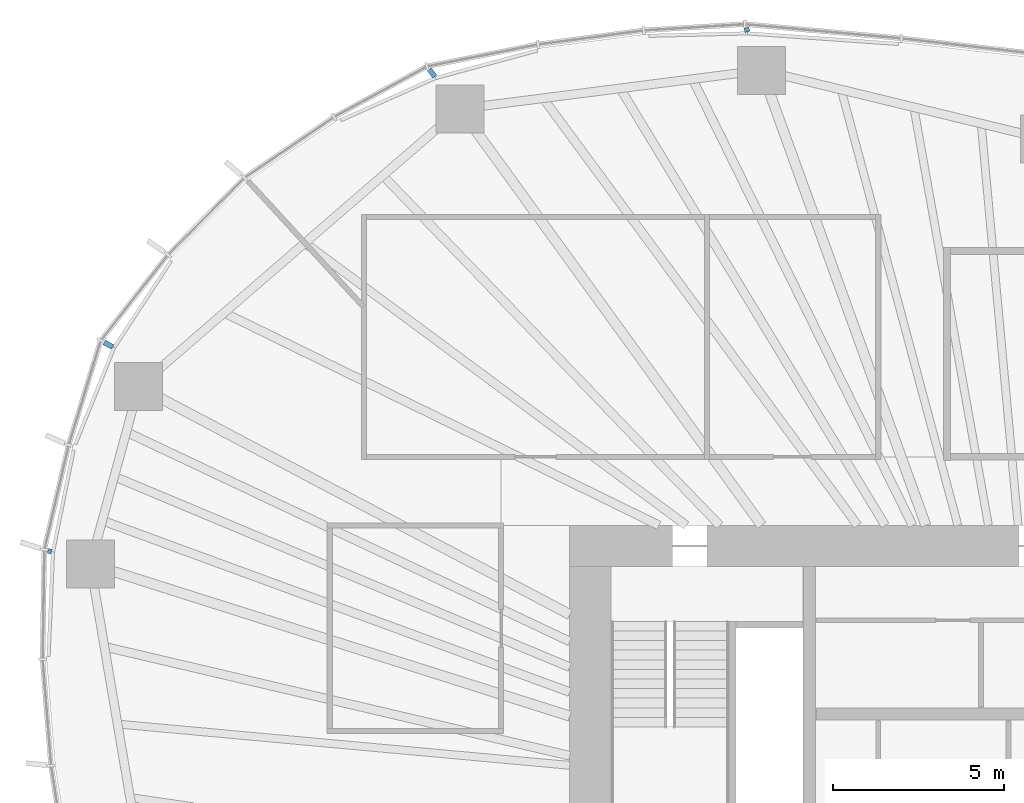
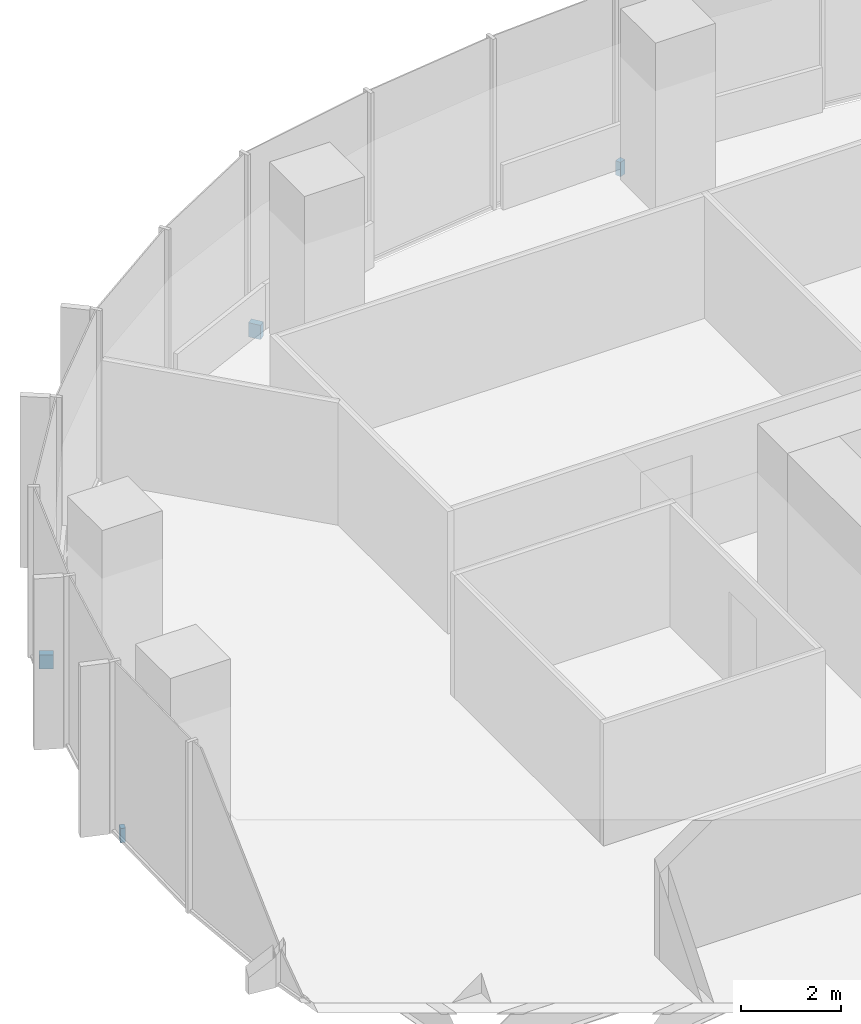
# One storey, part 15 of 18: 4 discrete accessories.
"""IFC4 building model written with IfcOpenShell, lengths in metres."""

from ifc_helpers import new_model, si_unit, direction, frame, origin, origin_2d, place, context, subcontext, project, spatial, rectangle, extrude, material, type_object, element, save


model = new_model("IFC4")

# Units and contexts
model_context = context("Model", 3, precision=1e-05, world=origin(), true_north=direction((0.0, 1.0)))
body_context = subcontext(model_context, "Body", "Model", "MODEL_VIEW")
ifc_project = project(units=[si_unit("LENGTHUNIT", "METRE"), si_unit("AREAUNIT", "SQUARE_METRE"), si_unit("VOLUMEUNIT", "CUBIC_METRE"), si_unit("PLANEANGLEUNIT", "RADIAN"), si_unit("MASSUNIT", "GRAM", prefix="KILO")], contexts=[model_context])

# Site, building, storey
site_placement = place(None, origin())
site = spatial("IfcSite", under=ifc_project, at=site_placement, CompositionType="ELEMENT")
building_placement = place(site_placement, origin())
building = spatial("IfcBuilding", under=site, at=building_placement, Name="Ghaith Harvest Tower", CompositionType="ELEMENT")
storey_placement = place(building_placement, frame((0.0, 0.0, 155.39990234375)))
storey = spatial("IfcBuildingStorey", under=building, at=storey_placement, Name="L33", CompositionType="ELEMENT", Elevation=155.39990234375)

# Discrete accessories
ifc_material_1 = material(Name="Stainless steel grade 1.4401", Category="steel")
discrete_accessory_type_1 = type_object("IfcDiscreteAccessoryType", Name="CURTAIN WALL BRACKET 105", PredefinedType="BRACKET", material=ifc_material_1)
discrete_accessory_1_placement = place(storey_placement, frame((-29.171875, 9.2451171875, -0.25), z_axis=(0.0, 0.0, 1.0), x_axis=(-0.953273219358, 0.302109531884, 0.0)))
element("IfcDiscreteAccessory", 1, at=discrete_accessory_1_placement, inside=storey, type_object=discrete_accessory_type_1, Name="CW-L bracket 1 bay 10 L33", PredefinedType="BRACKET", context=body_context, shape_type="SweptSolid", body=[
    extrude(rectangle(XDim=0.10498046875, YDim=0.14990234375, at=origin_2d()), origin(), (0.0, 0.0, 1.0), 0.35009765625),
])
ifc_material_2 = material(Name="Stainless steel grade 1.4401", Category="steel")
discrete_accessory_type_2 = type_object("IfcDiscreteAccessoryType", Name="CURTAIN WALL BRACKET 125", PredefinedType="BRACKET", material=ifc_material_2)
discrete_accessory_2_placement = place(storey_placement, frame((-8.833984375, 24.45849609375, -0.25), z_axis=(0.0, 0.0, 1.0), x_axis=(-0.339699453402, 0.94053404051, 0.0)))
element("IfcDiscreteAccessory", 2, at=discrete_accessory_2_placement, inside=storey, type_object=discrete_accessory_type_2, Name="CW-L bracket 1 bay 07 L33", PredefinedType="BRACKET", context=body_context, shape_type="SweptSolid", body=[
    extrude(rectangle(XDim=0.125, YDim=0.14990234375, at=origin_2d()), origin(), (0.0, 0.0, 1.0), 0.35009765625),
])
ifc_material_3 = material(Name="Stainless steel grade 1.4401", Category="steel")
discrete_accessory_type_3 = type_object("IfcDiscreteAccessoryType", Name="CURTAIN WALL BRACKET 265", PredefinedType="BRACKET", material=ifc_material_3)
discrete_accessory_3_placement = place(storey_placement, frame((-18.0166015625, 23.197998046875, -0.25), z_axis=(0.0, 0.0, 1.0), x_axis=(-0.613377714422, 0.78978970584, 0.0)))
element("IfcDiscreteAccessory", 3, at=discrete_accessory_3_placement, inside=storey, type_object=discrete_accessory_type_3, Name="CW-L bracket 1 bay 08 L33", PredefinedType="BRACKET", context=body_context, shape_type="SweptSolid", body=[
    extrude(rectangle(XDim=0.264892578125, YDim=0.14990234375, at=origin_2d()), origin(), (0.0, 0.0, 1.0), 0.35009765625),
])
ifc_material_4 = material(Name="Stainless steel grade 1.4401", Category="steel")
discrete_accessory_type_4 = type_object("IfcDiscreteAccessoryType", Name="CURTAIN WALL BRACKET 285", PredefinedType="BRACKET", material=ifc_material_4)
discrete_accessory_4_placement = place(storey_placement, frame((-27.45849609375, 15.271728515625, -0.25), z_axis=(0.0, 0.0, 1.0), x_axis=(-0.873926916005, 0.486057347935, 0.0)))
element("IfcDiscreteAccessory", 4, at=discrete_accessory_4_placement, inside=storey, type_object=discrete_accessory_type_4, Name="CW-L bracket 2 bay 09 L33", PredefinedType="BRACKET", context=body_context, shape_type="SweptSolid", body=[
    extrude(rectangle(XDim=0.284912109375, YDim=0.14990234375, at=origin_2d()), origin(), (0.0, 0.0, 1.0), 0.35009765625),
])

save(model, "model.ifc")
